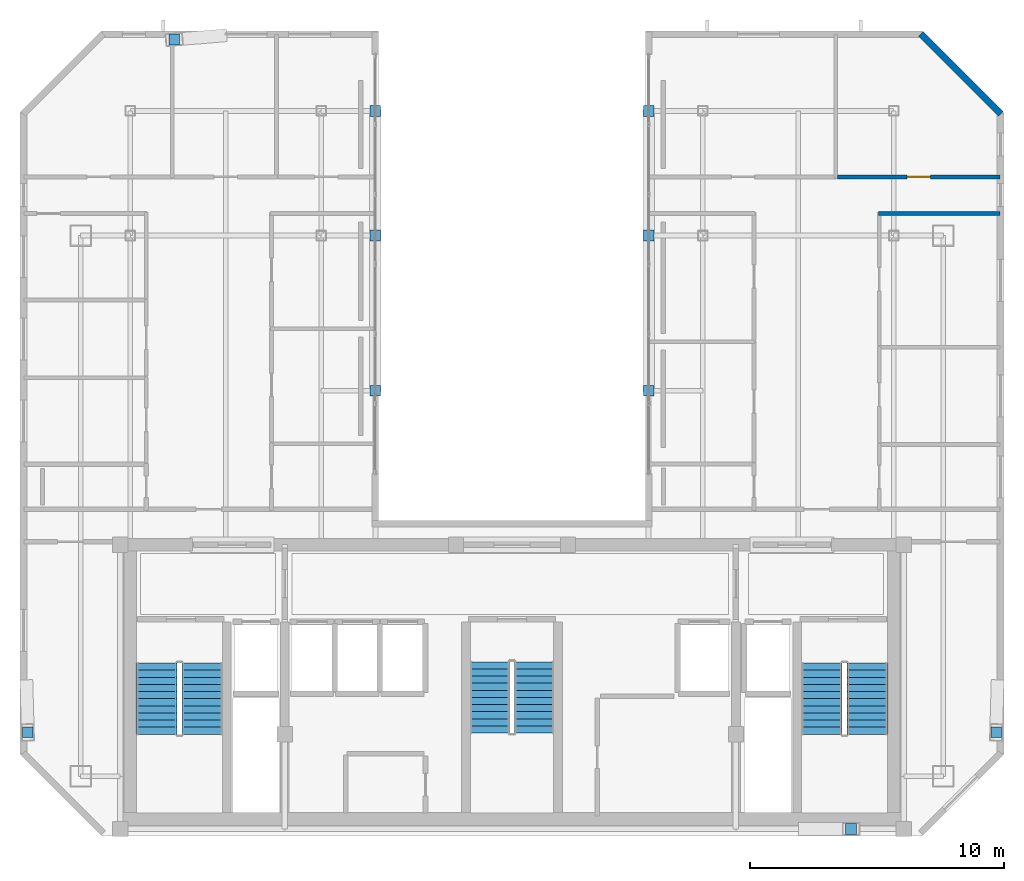
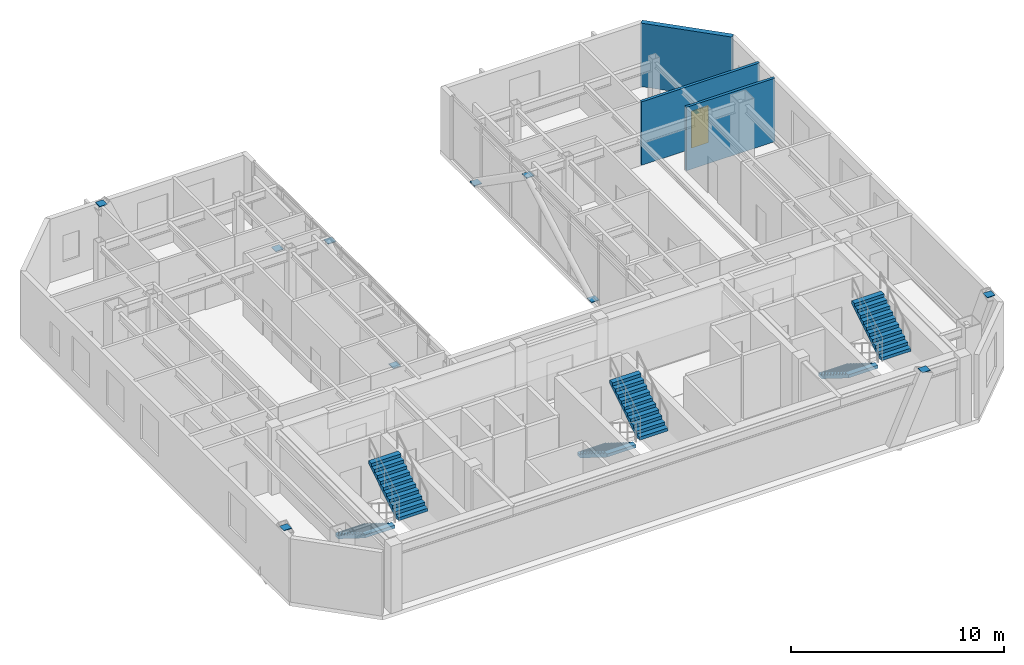
# One storey, part 17 of 18: 10 discrete accessories, 6 stair flights, 3 walls, 1 door, 1 opening, 3 elements without a shape of their own.
"""IFC4 building model written with IfcOpenShell, lengths in metres."""

from ifc_helpers import new_model, si_unit, direction, frame, frame_2d, origin, origin_2d, place, context, subcontext, project, spatial, polyline, rectangle, outline, extrude, material, layer, layer_set, type_object, element, fill, aggregate, save


model = new_model("IFC4")

# Units and contexts
model_context = context("Model", 3, precision=1e-05, world=origin(), true_north=direction((0.0, 1.0)))
body_context = subcontext(model_context, "Body", "Model", "MODEL_VIEW")
ifc_project = project(units=[si_unit("LENGTHUNIT", "METRE"), si_unit("AREAUNIT", "SQUARE_METRE"), si_unit("VOLUMEUNIT", "CUBIC_METRE"), si_unit("PLANEANGLEUNIT", "RADIAN"), si_unit("MASSUNIT", "GRAM", prefix="KILO")], contexts=[model_context])

# Site, building, storey
site_placement = place(None, origin())
site = spatial("IfcSite", under=ifc_project, at=site_placement, CompositionType="ELEMENT")
building_placement = place(site_placement, origin())
building = spatial("IfcBuilding", under=site, at=building_placement, Name="Ventersveld Concourse Tower", CompositionType="ELEMENT")
storey_placement = place(building_placement, frame((0.0, 0.0, 341.35009765625)))
storey = spatial("IfcBuildingStorey", under=building, at=storey_placement, Name="L84", CompositionType="ELEMENT", Elevation=341.35009765625)

# Wall
ifc_material_1 = material(Name="Autoclaved aerated masonry blockwork", Category="masonry")
ifc_layer_1 = layer(ifc_material_1, 0.14990234375)
ifc_layer_set_1 = layer_set([ifc_layer_1], Name="Autoclaved aerated masonry blockwork")
wall_type_1 = type_object("IfcWallType", Name="WL-INT-150", PredefinedType="PARTITIONING", material=ifc_layer_set_1)
wall_1_placement = place(storey_placement, frame((43.145263671875, 24.468017578125, 0.0), z_axis=(0.0, 0.0, 1.0), x_axis=(1.0, 0.0, 0.0)))
element("IfcWall", 1, at=wall_1_placement, inside=storey, type_object=wall_type_1, Name="L84 Interior Partition SP-L84-84EB-LIV-SP-L84-84EB-SEMR3", PredefinedType="PARTITIONING", context=body_context, shape_type="SweptSolid", body=[
    extrude(rectangle(XDim=4.78564453125, YDim=0.14990234375, at=frame_2d((2.392822265625, 0.0))), origin(), (0.0, 0.0, 1.0), 3.6298828125),
])

# Wall, opening, door
wall_2_placement = place(storey_placement, frame((41.54052734375, 25.908203125, 0.0), z_axis=(0.0, 0.0, 1.0), x_axis=(1.0, 0.0, 0.0)))
wall_2 = element("IfcWall", 2, at=wall_2_placement, inside=storey, type_object=wall_type_1, Name="L84 Interior Partition SP-L84-84EB-LIV-SP-L84-84EB-BR2", PredefinedType="PARTITIONING", context=body_context, shape_type="SweptSolid", body=[
    extrude(rectangle(XDim=6.390380859375, YDim=0.14990234375, at=frame_2d((3.1953125, 0.0))), origin(), (0.0, 0.0, 1.0), 3.6298828125),
])
opening_placement = place(wall_2_placement, frame((2.735107421875, 0.0, 0.0)))
opening = element("IfcOpeningElement", 3, at=opening_placement, cuts=wall_2, Name="Opening ID1", PredefinedType="OPENING", context=body_context, shape_type="SweptSolid", body=[
    extrude(rectangle(XDim=0.919921875, YDim=2.10009765625, at=frame_2d((0.4599609375, 1.050048828125))), frame((0.0, 0.0849609375, 0.0), z_axis=(0.0, -1.0, 0.0), x_axis=(1.0, 0.0, 0.0)), (0.0, 0.0, 1.0), 0.169921875),
])
ifc_material_2 = material(Name="Solid-core hardwood veneer timber", Category="wood")
door_type = type_object("IfcDoorType", Name="DR-ROOM-092", OperationType="NOTDEFINED", PredefinedType="DOOR", material=ifc_material_2)
door_placement = place(opening_placement, origin())
door = element("IfcDoor", 4, at=door_placement, inside=storey, type_object=door_type, Name="L84 Interior Door SP-L84-84EB-LIV to SP-L84-84EB-BR2 (D-L84-3799)", OperationType="SINGLE_SWING_LEFT", OverallHeight=2.10009765625, OverallWidth=0.919921875, PredefinedType="DOOR", context=body_context, shape_type="SweptSolid", body=[
    extrude(rectangle(XDim=0.919921875, YDim=2.10009765625, at=frame_2d((0.4599609375, 1.050048828125))), frame((0.0, 0.02490234375, 0.0), z_axis=(0.0, -1.0, 0.0), x_axis=(1.0, 0.0, 0.0)), (0.0, 0.0, 1.0), 0.050048828125),
])
fill(opening, door)

# Wall
ifc_material_3 = material(Name="Precast concrete C45/55", Category="concrete")
ifc_layer_2 = layer(ifc_material_3, 0.260009765625)
ifc_layer_set_2 = layer_set([ifc_layer_2], Name="Precast concrete C45/55")
wall_type_2 = type_object("IfcWallType", Name="WL-PREC-260", PredefinedType="SOLIDWALL", material=ifc_layer_set_2)
wall_3_placement = place(storey_placement, frame((47.960205078125, 28.384521484375, 0.0), z_axis=(0.0, 0.0, 1.0), x_axis=(-0.707106781187, 0.707106781187, 0.0)))
element("IfcWall", 5, at=wall_3_placement, inside=storey, type_object=wall_type_2, Name="L84 Highveld Precast Facade Wall E04", PredefinedType="SOLIDWALL", context=body_context, shape_type="SweptSolid", body=[
    extrude(rectangle(XDim=4.4453125, YDim=0.260009765625, at=frame_2d((2.22265625, 0.0))), origin(), (0.0, 0.0, 1.0), 3.6298828125),
])

# Stair, stair flights
ifc_material_4 = material(Name="Concrete C50/60", Category="concrete")
stair_type_1 = type_object("IfcStairType", Name="ST-DOG-155", PredefinedType="HALF_TURN_STAIR", material=ifc_material_4)
stair_1_placement = place(storey_placement, origin())
stair_1 = element("IfcStair", 6, at=stair_1_placement, inside=storey, type_object=stair_type_1, Name="L84 Protected Central Core Escape Stair ST-03", PredefinedType="HALF_TURN_STAIR")
stair_flight_type_1 = type_object("IfcStairFlightType", Name="STF-RC-155", PredefinedType="STRAIGHT", material=ifc_material_4)
stair_flight_1_placement = place(storey_placement, frame((27.875, 6.85009765625, 0.0), z_axis=(0.0, 0.0, 1.0), x_axis=(0.0, -1.0, 0.0)))
stair_flight_1 = element("IfcStairFlight", 7, at=stair_flight_1_placement, type_object=stair_flight_type_1, Name="ST-03 flight 1", NumberOfRisers=11, NumberOfTreads=10, PredefinedType="STRAIGHT", RiserHeight=0.175, TreadLength=0.28, context=body_context, shape_type="SweptSolid", body=[
    extrude(outline(polyline([(0.0, 0.0), (0.0, 0.175048828125), (0.280029296875, 0.175048828125), (0.280029296875, 0.35009765625), (0.56005859375, 0.35009765625), (0.56005859375, 0.52490234375), (0.840087890625, 0.52490234375), (0.840087890625, 0.699951171875), (1.1201171875, 0.699951171875), (1.1201171875, 0.875), (1.39990234375, 0.875), (1.39990234375, 1.050048828125), (1.679931640625, 1.050048828125), (1.679931640625, 1.22509765625), (1.9599609375, 1.22509765625), (1.9599609375, 1.39990234375), (2.239990234375, 1.39990234375), (2.239990234375, 1.574951171875), (2.52001953125, 1.574951171875), (2.52001953125, 1.75), (2.800048828125, 1.75), (2.800048828125, 1.925048828125), (2.800048828125, 1.5732421875), (0.28271484375, 0.0), (0.0, 0.0)])), frame((0.0, 0.77490234375, 0.0), z_axis=(0.0, -1.0, 0.0), x_axis=(1.0, 0.0, 0.0)), (0.0, 0.0, 1.0), 1.550048828125),
])
stair_flight_2_placement = place(storey_placement, frame((29.625, 4.050048828125, 1.9248046875), z_axis=(0.0, 0.0, 1.0), x_axis=(0.0, 1.0, 0.0)))
stair_flight_2 = element("IfcStairFlight", 8, at=stair_flight_2_placement, type_object=stair_flight_type_1, Name="ST-03 flight 2", NumberOfRisers=11, NumberOfTreads=10, PredefinedType="STRAIGHT", RiserHeight=0.175, TreadLength=0.28, context=body_context, shape_type="SweptSolid", body=[
    extrude(outline(polyline([(0.0, 0.0), (0.0, 0.175048828125), (0.280029296875, 0.175048828125), (0.280029296875, 0.35009765625), (0.56005859375, 0.35009765625), (0.56005859375, 0.52490234375), (0.840087890625, 0.52490234375), (0.840087890625, 0.699951171875), (1.1201171875, 0.699951171875), (1.1201171875, 0.875), (1.39990234375, 0.875), (1.39990234375, 1.050048828125), (1.679931640625, 1.050048828125), (1.679931640625, 1.22509765625), (1.9599609375, 1.22509765625), (1.9599609375, 1.39990234375), (2.239990234375, 1.39990234375), (2.239990234375, 1.574951171875), (2.52001953125, 1.574951171875), (2.52001953125, 1.75), (2.800048828125, 1.75), (2.800048828125, 1.925048828125), (2.800048828125, 1.5732421875), (0.28271484375, 0.0), (0.0, 0.0)])), frame((0.0, 0.77490234375, 0.0), z_axis=(0.0, -1.0, 0.0), x_axis=(1.0, 0.0, 0.0)), (0.0, 0.0, 1.0), 1.550048828125),
])
aggregate(stair_1, [stair_flight_1, stair_flight_2])

stair_type_2 = type_object("IfcStairType", Name="ST-DOG-160", PredefinedType="HALF_TURN_STAIR", material=ifc_material_4)
stair_2_placement = place(storey_placement, origin())
stair_2 = element("IfcStair", 9, at=stair_2_placement, inside=storey, type_object=stair_type_2, Name="L84 Protected Tower Escape Stair ST-01", PredefinedType="HALF_TURN_STAIR")
stair_flight_type_2 = type_object("IfcStairFlightType", Name="STF-RC-160", PredefinedType="STRAIGHT", material=ifc_material_4)
stair_flight_3_placement = place(storey_placement, frame((14.780029296875, 6.800048828125, 0.0), z_axis=(0.0, 0.0, 1.0), x_axis=(0.0, -1.0, 0.0)))
stair_flight_3 = element("IfcStairFlight", 10, at=stair_flight_3_placement, type_object=stair_flight_type_2, Name="ST-01 flight 1", NumberOfRisers=11, NumberOfTreads=10, PredefinedType="STRAIGHT", RiserHeight=0.175, TreadLength=0.28, context=body_context, shape_type="SweptSolid", body=[
    extrude(outline(polyline([(0.0, 0.0), (0.0, 0.175048828125), (0.280029296875, 0.175048828125), (0.280029296875, 0.35009765625), (0.56005859375, 0.35009765625), (0.56005859375, 0.52490234375), (0.840087890625, 0.52490234375), (0.840087890625, 0.699951171875), (1.1201171875, 0.699951171875), (1.1201171875, 0.875), (1.39990234375, 0.875), (1.39990234375, 1.050048828125), (1.679931640625, 1.050048828125), (1.679931640625, 1.22509765625), (1.9599609375, 1.22509765625), (1.9599609375, 1.39990234375), (2.239990234375, 1.39990234375), (2.239990234375, 1.574951171875), (2.52001953125, 1.574951171875), (2.52001953125, 1.75), (2.800048828125, 1.75), (2.800048828125, 1.925048828125), (2.800048828125, 1.5732421875), (0.28271484375, 0.0), (0.0, 0.0)])), frame((0.0, 0.800048828125, 0.0), z_axis=(0.0, -1.0, 0.0), x_axis=(1.0, 0.0, 0.0)), (0.0, 0.0, 1.0), 1.60009765625),
])
stair_flight_4_placement = place(storey_placement, frame((16.580078125, 4.0, 1.9248046875), z_axis=(0.0, 0.0, 1.0), x_axis=(0.0, 1.0, 0.0)))
stair_flight_4 = element("IfcStairFlight", 11, at=stair_flight_4_placement, type_object=stair_flight_type_2, Name="ST-01 flight 2", NumberOfRisers=11, NumberOfTreads=10, PredefinedType="STRAIGHT", RiserHeight=0.175, TreadLength=0.28, context=body_context, shape_type="SweptSolid", body=[
    extrude(outline(polyline([(0.0, 0.0), (0.0, 0.175048828125), (0.280029296875, 0.175048828125), (0.280029296875, 0.35009765625), (0.56005859375, 0.35009765625), (0.56005859375, 0.52490234375), (0.840087890625, 0.52490234375), (0.840087890625, 0.699951171875), (1.1201171875, 0.699951171875), (1.1201171875, 0.875), (1.39990234375, 0.875), (1.39990234375, 1.050048828125), (1.679931640625, 1.050048828125), (1.679931640625, 1.22509765625), (1.9599609375, 1.22509765625), (1.9599609375, 1.39990234375), (2.239990234375, 1.39990234375), (2.239990234375, 1.574951171875), (2.52001953125, 1.574951171875), (2.52001953125, 1.75), (2.800048828125, 1.75), (2.800048828125, 1.925048828125), (2.800048828125, 1.5732421875), (0.28271484375, 0.0), (0.0, 0.0)])), frame((0.0, 0.800048828125, 0.0), z_axis=(0.0, -1.0, 0.0), x_axis=(1.0, 0.0, 0.0)), (0.0, 0.0, 1.0), 1.60009765625),
])
aggregate(stair_2, [stair_flight_3, stair_flight_4])

stair_3_placement = place(storey_placement, origin())
stair_3 = element("IfcStair", 12, at=stair_3_placement, inside=storey, type_object=stair_type_2, Name="L84 Protected Tower Escape Stair ST-02", PredefinedType="HALF_TURN_STAIR")
stair_flight_5_placement = place(storey_placement, frame((40.919921875, 6.800048828125, 0.0), z_axis=(0.0, 0.0, 1.0), x_axis=(0.0, -1.0, 0.0)))
stair_flight_5 = element("IfcStairFlight", 13, at=stair_flight_5_placement, type_object=stair_flight_type_2, Name="ST-02 flight 1", NumberOfRisers=11, NumberOfTreads=10, PredefinedType="STRAIGHT", RiserHeight=0.175, TreadLength=0.28, context=body_context, shape_type="SweptSolid", body=[
    extrude(outline(polyline([(0.0, 0.0), (0.0, 0.175048828125), (0.280029296875, 0.175048828125), (0.280029296875, 0.35009765625), (0.56005859375, 0.35009765625), (0.56005859375, 0.52490234375), (0.840087890625, 0.52490234375), (0.840087890625, 0.699951171875), (1.1201171875, 0.699951171875), (1.1201171875, 0.875), (1.39990234375, 0.875), (1.39990234375, 1.050048828125), (1.679931640625, 1.050048828125), (1.679931640625, 1.22509765625), (1.9599609375, 1.22509765625), (1.9599609375, 1.39990234375), (2.239990234375, 1.39990234375), (2.239990234375, 1.574951171875), (2.52001953125, 1.574951171875), (2.52001953125, 1.75), (2.800048828125, 1.75), (2.800048828125, 1.925048828125), (2.800048828125, 1.5732421875), (0.28271484375, 0.0), (0.0, 0.0)])), frame((0.0, 0.800048828125, 0.0), z_axis=(0.0, -1.0, 0.0), x_axis=(1.0, 0.0, 0.0)), (0.0, 0.0, 1.0), 1.60009765625),
])
stair_flight_6_placement = place(storey_placement, frame((42.719970703125, 4.0, 1.9248046875), z_axis=(0.0, 0.0, 1.0), x_axis=(0.0, 1.0, 0.0)))
stair_flight_6 = element("IfcStairFlight", 14, at=stair_flight_6_placement, type_object=stair_flight_type_2, Name="ST-02 flight 2", NumberOfRisers=11, NumberOfTreads=10, PredefinedType="STRAIGHT", RiserHeight=0.175, TreadLength=0.28, context=body_context, shape_type="SweptSolid", body=[
    extrude(outline(polyline([(0.0, 0.0), (0.0, 0.175048828125), (0.280029296875, 0.175048828125), (0.280029296875, 0.35009765625), (0.56005859375, 0.35009765625), (0.56005859375, 0.52490234375), (0.840087890625, 0.52490234375), (0.840087890625, 0.699951171875), (1.1201171875, 0.699951171875), (1.1201171875, 0.875), (1.39990234375, 0.875), (1.39990234375, 1.050048828125), (1.679931640625, 1.050048828125), (1.679931640625, 1.22509765625), (1.9599609375, 1.22509765625), (1.9599609375, 1.39990234375), (2.239990234375, 1.39990234375), (2.239990234375, 1.574951171875), (2.52001953125, 1.574951171875), (2.52001953125, 1.75), (2.800048828125, 1.75), (2.800048828125, 1.925048828125), (2.800048828125, 1.5732421875), (0.28271484375, 0.0), (0.0, 0.0)])), frame((0.0, 0.800048828125, 0.0), z_axis=(0.0, -1.0, 0.0), x_axis=(1.0, 0.0, 0.0)), (0.0, 0.0, 1.0), 1.60009765625),
])
aggregate(stair_3, [stair_flight_5, stair_flight_6])

# Discrete accessories
ifc_material_5 = material(Name="Structural steel S355J2", Category="steel")
discrete_accessory_type = type_object("IfcDiscreteAccessoryType", Name="CONN-BRACE-ECP1", PredefinedType="BRACKET", material=ifc_material_5)
for number, where, z_axis, x_axis, name in (
    (15, (23.3798828125, 17.5, -0.02001953125), (0.0, 0.0, 1.0), (1.0, 0.0, 0.0), "L84 Steel Brace End Connection Plate ECP1-0145"),
    (16, (23.3798828125, 23.60009765625, 3.389892578125), (0.0, 0.0, 1.0), (1.0, 0.0, 0.0), "L84 Steel Brace End Connection Plate ECP1-0146"),
    (17, (23.3798828125, 28.5, -0.02001953125), (0.0, 0.0, 1.0), (1.0, 0.0, 0.0), "L84 Steel Brace End Connection Plate ECP1-0147"),
    (18, (34.1201171875, 17.5, -0.02001953125), (0.0, 0.0, 1.0), (1.0, 0.0, 0.0), "L84 Steel Brace End Connection Plate ECP1-0148"),
    (19, (34.1201171875, 23.60009765625, 3.389892578125), (0.0, 0.0, 1.0), (1.0, 0.0, 0.0), "L84 Steel Brace End Connection Plate ECP1-0149"),
    (20, (34.1201171875, 28.5, -0.02001953125), (0.0, 0.0, 1.0), (1.0, 0.0, 0.0), "L84 Steel Brace End Connection Plate ECP1-0150"),
    (21, (15.473876953125, 31.30419921875, 3.60986328125), (0.0, 0.0, 1.0), (1.0, 0.0, 0.0), "L84 Steel Brace End Connection Plate ECP1-0518"),
    (22, (42.076171875, 0.280029296875, 3.60986328125), (0.0, 0.0, 1.0), (1.0, 0.0, 0.0), "L84 Steel Brace End Connection Plate ECP1-0522"),
    (23, (9.7216796875, 4.073974609375, 3.60986328125), (0.0, 0.0, 1.0), (1.0, 0.0, 0.0), "L84 Steel Brace End Connection Plate ECP1-0526"),
    (24, (47.7783203125, 4.073974609375, 3.60986328125), (0.0, 0.0, 1.0), (1.0, 0.0, 0.0), "L84 Steel Brace End Connection Plate ECP1-0530"),
):
    element("IfcDiscreteAccessory", number, at=place(storey_placement, frame(where, z_axis=z_axis, x_axis=x_axis)), inside=storey, type_object=discrete_accessory_type, Name=name, PredefinedType="BRACKET", context=body_context, shape_type="SweptSolid", body=[
        extrude(rectangle(XDim=0.419921875, YDim=0.419921875, at=origin_2d()), origin(), (0.0, 0.0, 1.0), 0.0400390625),
    ])

save(model, "model.ifc")
